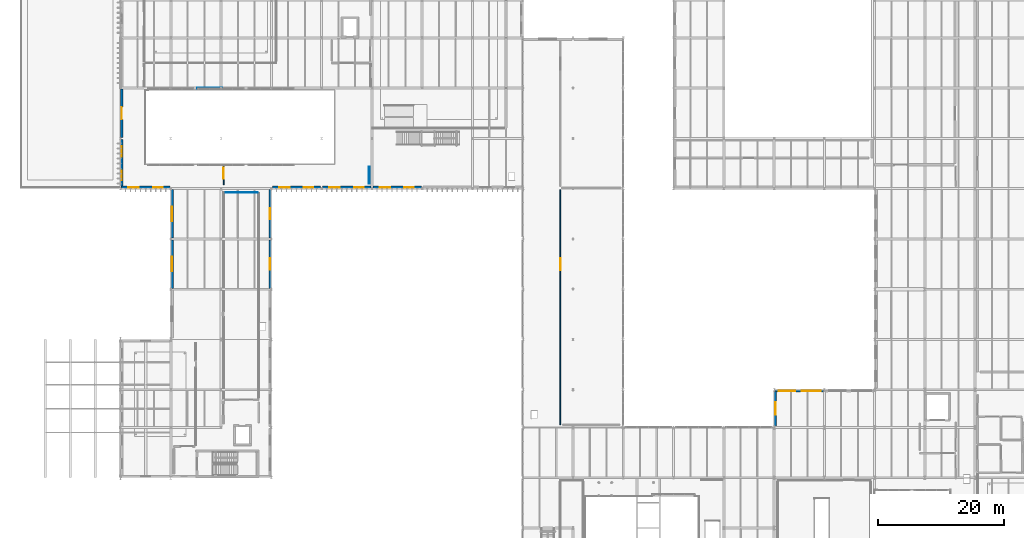
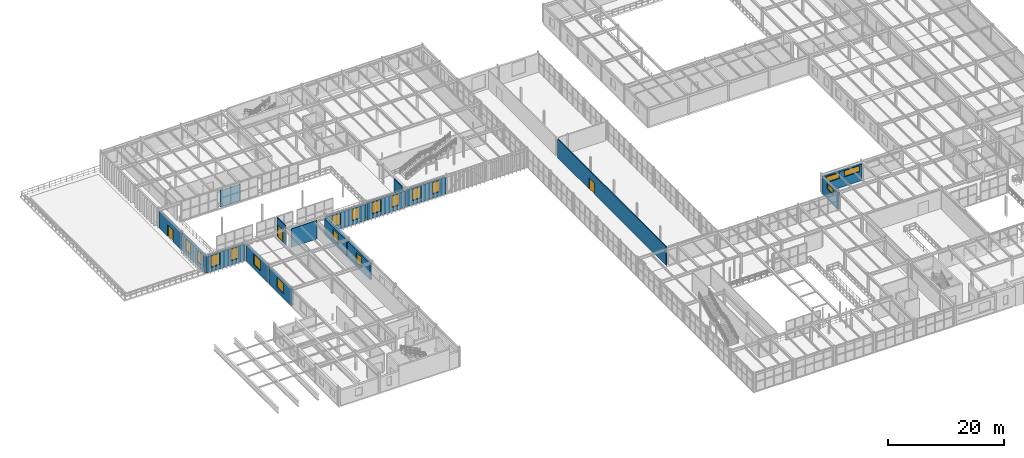
# One storey, part 85 of 122: 17 walls, 17 windows, 3 doors, 20 openings.
"""IFC4 building model written with IfcOpenShell, lengths in metres."""

import ifcopenshell
import ifcopenshell.guid

model = None  # the IFC model being written
_history = None  # IfcOwnerHistory: only IFC2X3 demands one
_inside = {}  # id of a spatial element -> (the spatial element, [elements in it])
_under = {}  # id of a project, library or spatial element -> (it, [spatial elements below it])
_declared = {}  # id of a project -> (the project, [libraries it declares])
_typed = {}  # id of a type object -> (the type object, [elements of that type])
_made_of = {}  # id of a material, layer set ... -> (it, [elements and type objects made of it])


def new_model(schema):
    """Start an empty IFC model of exactly this schema.

    Asked for "IFC4X3", IfcOpenShell would pick the latest addendum, in which some entities
    have other attributes; the version numbers below select the first issue.
    IFC2X3 requires an IfcOwnerHistory on every rooted entity: one is made here for all.
    """
    global model, _history
    if schema == "IFC4X3":
        model = ifcopenshell.file(schema_version=(4, 3, 0, 0))
    else:
        model = ifcopenshell.file(schema=schema)
    _inside.clear()
    _under.clear()
    _declared.clear()
    _typed.clear()
    _made_of.clear()
    _history = None
    if model.schema == "IFC2X3":
        org = make("IfcOrganization", Name="unknown")
        user = make(
            "IfcPersonAndOrganization",
            ThePerson=make("IfcPerson", FamilyName="unknown"),
            TheOrganization=org,
        )
        app = make(
            "IfcApplication",
            ApplicationDeveloper=org,
            Version="unknown",
            ApplicationFullName="unknown",
            ApplicationIdentifier="unknown",
        )
        _history = make(
            "IfcOwnerHistory",
            OwningUser=user,
            OwningApplication=app,
            ChangeAction="ADDED",
            CreationDate=0,
        )
    return model


def make(cls, **values):
    """One entity of the class cls with the attributes given. An attribute that is None is left unset."""
    return model.create_entity(
        cls, **{name: value for name, value in values.items() if value is not None}
    )


def rooted(cls, **values):
    """An entity with a GlobalId (a new one), such as an element, a storey or a relation."""
    return make(cls, GlobalId=ifcopenshell.guid.new(), OwnerHistory=_history, **values)


def si_unit(unit_type, name, prefix=None):
    """IfcSIUnit, for example si_unit("LENGTHUNIT", "METRE", prefix="MILLI")."""
    return make("IfcSIUnit", UnitType=unit_type, Prefix=prefix, Name=name)


def assignment(units):
    """IfcUnitAssignment: the units of a project."""
    return None if units is None else make("IfcUnitAssignment", Units=units)


def point(xyz):
    """IfcCartesianPoint."""
    return None if xyz is None else make("IfcCartesianPoint", Coordinates=xyz)


def direction(xyz):
    """IfcDirection."""
    return None if xyz is None else make("IfcDirection", DirectionRatios=xyz)


def frame(location, z_axis=None, x_axis=None):
    """IfcAxis2Placement3D, a coordinate frame: its origin and axes. An axis left out is left unset."""
    return make(
        "IfcAxis2Placement3D",
        Location=point(location),
        Axis=direction(z_axis),
        RefDirection=direction(x_axis),
    )


def frame_2d(location, x_axis=None):
    """IfcAxis2Placement2D, a coordinate frame in the plane: its origin and x axis."""
    return make(
        "IfcAxis2Placement2D", Location=point(location), RefDirection=direction(x_axis)
    )


def origin():
    """The frame at (0, 0, 0) with its axes left unset."""
    return frame((0.0, 0.0, 0.0))


def place(relative_to, where):
    """IfcLocalPlacement: puts the frame where relative to a parent placement (None: the world)."""
    return make(
        "IfcLocalPlacement", PlacementRelTo=relative_to, RelativePlacement=where
    )


def context(
    kind, dimensions, precision=None, world=None, true_north=None, identifier=None
):
    """IfcGeometricRepresentationContext, for example the 3D "Model" context."""
    return make(
        "IfcGeometricRepresentationContext",
        ContextIdentifier=identifier,
        ContextType=kind,
        CoordinateSpaceDimension=dimensions,
        Precision=precision,
        WorldCoordinateSystem=world,
        TrueNorth=true_north,
    )


def subcontext(parent, identifier, kind, view, scale=None):
    """IfcGeometricRepresentationSubContext, for example "Body" below "Model"."""
    return make(
        "IfcGeometricRepresentationSubContext",
        ContextIdentifier=identifier,
        ContextType=kind,
        ParentContext=parent,
        TargetScale=scale,
        TargetView=view,
    )


def project(units=None, contexts=None):
    """IfcProject with its units and contexts."""
    return rooted(
        "IfcProject",
        Name="project",
        RepresentationContexts=contexts,
        UnitsInContext=assignment(units),
    )


def spatial(cls, under=None, at=None, **own):
    """A site, building, storey or space (cls), placed at a placement, below another one or the project."""
    s = rooted(cls, ObjectPlacement=at, **own)
    if under is not None:
        _under.setdefault(under.id(), (under, []))[1].append(s)
    return s


def profile(cls, at=None, kind="AREA", **sizes):
    """A parametric profile (cls). Its sizes go by their IFC names, for example OverallWidth=200.0."""
    return make(cls, ProfileType=kind, Position=at, **sizes)


def rectangle(**sizes):
    """IfcRectangleProfileDef."""
    return profile("IfcRectangleProfileDef", **sizes)


def extrude(swept, where, along, depth):
    """IfcExtrudedAreaSolid: the profile swept, set in the frame where, extruded along a direction by depth."""
    return make(
        "IfcExtrudedAreaSolid",
        SweptArea=swept,
        Position=where,
        ExtrudedDirection=direction(along),
        Depth=depth,
    )


def shape(context_of_items, identifier, shape_type, items):
    """IfcShapeRepresentation: the items that make up one representation, for example the "Body"."""
    return make(
        "IfcShapeRepresentation",
        ContextOfItems=context_of_items,
        RepresentationIdentifier=identifier,
        RepresentationType=shape_type,
        Items=items,
    )


def material(Name=None, Category=None):
    """IfcMaterial."""
    return make("IfcMaterial", Name=Name, Category=Category)


def layer(
    of_material, thickness, ventilated=None, Name=None, Category=None, Priority=None
):
    """IfcMaterialLayer: one layer of a wall or slab, of a material (None: an air gap)."""
    return make(
        "IfcMaterialLayer",
        Material=of_material,
        LayerThickness=thickness,
        IsVentilated=ventilated,
        Name=Name,
        Category=Category,
        Priority=Priority,
    )


def layer_set(layers, Name=None):
    """IfcMaterialLayerSet."""
    return make("IfcMaterialLayerSet", MaterialLayers=layers, LayerSetName=Name)


def made_of(thing, what):
    """Note that an element or type object is made of a material, layer set ...; save() writes the relation."""
    if what is not None:
        _made_of.setdefault(what.id(), (what, []))[1].append(thing)
    return thing


def type_object(cls, material=None, **own):
    """A type object (cls), such as IfcWallType, which elements share."""
    return made_of(rooted(cls, **own), material)


def element(
    cls,
    number,
    at=None,
    inside=None,
    cuts=None,
    type_object=None,
    material=None,
    context=None,
    identifier="Body",
    shape_type=None,
    held_by="IfcProductDefinitionShape",
    body=None,
    shapes=None,
    **own,
):
    """One element of the class cls, such as IfcWall. Its Tag is "e" and its number.

    at: its placement. inside: the storey or other place that contains it. cuts: it is an
    opening in that element (IfcRelVoidsElement). A single representation is given by context,
    identifier, shape_type and body (its items); several are given by shapes. held_by: the class
    of the entity that holds the representations. save() writes the other relations.
    """
    e = rooted(cls, Tag="e%d" % number, ObjectPlacement=at, **own)
    if body is not None:
        shapes = [shape(context, identifier, shape_type, body)]
    if shapes is not None:
        e.Representation = make(held_by, Representations=shapes)
    if inside is not None:
        _inside.setdefault(inside.id(), (inside, []))[1].append(e)
    if cuts is not None:
        rooted(
            "IfcRelVoidsElement", RelatingBuildingElement=cuts, RelatedOpeningElement=e
        )
    if type_object is not None:
        _typed.setdefault(type_object.id(), (type_object, []))[1].append(e)
    return made_of(e, material)


def fill(opening, filler):
    """IfcRelFillsElement: the door or window that sits in an opening."""
    return rooted(
        "IfcRelFillsElement",
        RelatingOpeningElement=opening,
        RelatedBuildingElement=filler,
    )


def aggregate(whole, parts):
    """IfcRelAggregates: a whole, such as a stair, and the parts it consists of."""
    return rooted("IfcRelAggregates", RelatingObject=whole, RelatedObjects=parts)


def save(model, path):
    """Write the relations noted so far, then the file.

    IfcRelAggregates (storeys below a building ...), IfcRelContainedInSpatialStructure (elements
    in a storey), IfcRelDefinesByType, IfcRelAssociatesMaterial and IfcRelDeclares: one each for
    every whole, place, type object, material and project.
    """
    for whole, parts in _under.values():
        aggregate(whole, parts)
    for where, things in _inside.values():
        rooted(
            "IfcRelContainedInSpatialStructure",
            RelatedElements=things,
            RelatingStructure=where,
        )
    for kind, things in _typed.values():
        rooted("IfcRelDefinesByType", RelatedObjects=things, RelatingType=kind)
    for what, things in _made_of.values():
        rooted("IfcRelAssociatesMaterial", RelatedObjects=things, RelatingMaterial=what)
    for by, libraries in _declared.values():
        rooted("IfcRelDeclares", RelatingContext=by, RelatedDefinitions=libraries)
    model.write(path)


model = new_model("IFC4")

# Units and contexts
model_context = context("Model", 3, precision=1e-05, world=origin(), true_north=direction((0.0, 1.0)))
body_context = subcontext(model_context, "Body", "Model", "MODEL_VIEW")
ifc_project = project(units=[si_unit("LENGTHUNIT", "METRE"), si_unit("AREAUNIT", "SQUARE_METRE"), si_unit("VOLUMEUNIT", "CUBIC_METRE"), si_unit("PLANEANGLEUNIT", "RADIAN"), si_unit("MASSUNIT", "GRAM", prefix="KILO")], contexts=[model_context])

# Site, building, storey
site_placement = place(None, origin())
site = spatial("IfcSite", under=ifc_project, at=site_placement, CompositionType="ELEMENT")
building_placement = place(site_placement, origin())
building = spatial("IfcBuilding", under=site, at=building_placement, Name="Sundkrona Museum", CompositionType="ELEMENT")
storey_placement = place(building_placement, frame((0.0, 0.0, 5.39990234375)))
storey = spatial("IfcBuildingStorey", under=building, at=storey_placement, Name="L01", CompositionType="ELEMENT", Elevation=5.39990234375)

# Wall, opening, window
ifc_material_1 = material(Name="Scanian Polychrome Clay Brickwork 390 mm", Category="masonry")
ifc_layer_1 = layer(ifc_material_1, 0.389892578125)
ifc_layer_set_1 = layer_set([ifc_layer_1], Name="Scanian Polychrome Clay Brickwork 390 mm")
wall_type_1 = type_object("IfcWallType", Name="W-EX-390", PredefinedType="SOLIDWALL", material=ifc_layer_set_1)
wall_1_placement = place(storey_placement, frame((120.195068359375, 40.251953125, 0.0), z_axis=(0.0, 0.0, 1.0), x_axis=(0.0, 1.0, 0.0)))
wall_1 = element("IfcWall", 1, at=wall_1_placement, inside=storey, type_object=wall_type_1, Name="L01 Facade Wall 0024", PredefinedType="SOLIDWALL", context=body_context, shape_type="SweptSolid", body=[
    extrude(rectangle(XDim=5.49609375, YDim=0.389892578125, at=frame_2d((2.748046875, 0.0))), origin(), (0.0, 0.0, 1.0), 3.4150390625),
])
opening_1_placement = place(wall_1_placement, frame((1.748046875, 0.0, 2.0)))
opening_1 = element("IfcOpeningElement", 2, at=opening_1_placement, cuts=wall_1, Name="Opening WN-CL-200x110", PredefinedType="OPENING", context=body_context, shape_type="SweptSolid", body=[
    extrude(rectangle(XDim=2.0, YDim=1.10009765625, at=frame_2d((1.0, 0.550048828125))), frame((0.0, 0.204833984375, 0.0), z_axis=(0.0, -1.0, 0.0), x_axis=(1.0, 0.0, 0.0)), (0.0, 0.0, 1.0), 0.409912109375),
])
ifc_material_2 = material(Name="Triple Low-E Argon Glazing in Bronze-Anodised Aluminium", Category="aluminium")
window_type_1 = type_object("IfcWindowType", Name="WN-CL-200x110", PartitioningType="DOUBLE_PANEL_HORIZONTAL", PredefinedType="WINDOW", material=ifc_material_2)
window_1_placement = place(opening_1_placement, origin())
window_1 = element("IfcWindow", 3, at=window_1_placement, inside=storey, type_object=window_type_1, Name="L01 Archive foyer clerestory window 2000x1100 WIN-L01-0030", OverallHeight=1.10009765625, OverallWidth=2.0, PartitioningType="DOUBLE_PANEL_HORIZONTAL", PredefinedType="WINDOW", context=body_context, shape_type="SweptSolid", body=[
    extrude(rectangle(XDim=2.0, YDim=1.10009765625, at=frame_2d((1.0, 0.550048828125))), frame((0.0, 0.030029296875, 0.0), z_axis=(0.0, -1.0, 0.0), x_axis=(1.0, 0.0, 0.0)), (0.0, 0.0, 1.0), 0.06005859375),
])
fill(opening_1, window_1)

# Wall, openings, windows
wall_2_placement = place(storey_placement, frame((23.85791015625, 78.195068359375, 0.0), z_axis=(0.0, 0.0, 1.0), x_axis=(-1.0, 0.0, 0.0)))
wall_2 = element("IfcWall", 4, at=wall_2_placement, inside=storey, type_object=wall_type_1, Name="L01 Facade Wall 0116", PredefinedType="SOLIDWALL", context=body_context, shape_type="SweptSolid", body=[
    extrude(rectangle(XDim=7.7158203125, YDim=0.389892578125, at=frame_2d((3.85791015625, 0.0))), origin(), (0.0, 0.0, 1.0), 3.39501953125),
])
opening_2_placement = place(wall_2_placement, frame((1.178955078125, 0.0, 0.85009765625)))
opening_2 = element("IfcOpeningElement", 5, at=opening_2_placement, cuts=wall_2, Name="Opening WN-GL-150x240", PredefinedType="OPENING", context=body_context, shape_type="SweptSolid", body=[
    extrude(rectangle(XDim=1.5, YDim=2.39990234375, at=frame_2d((0.75, 1.199951171875))), frame((0.0, 0.204833984375, 0.0), z_axis=(0.0, -1.0, 0.0), x_axis=(1.0, 0.0, 0.0)), (0.0, 0.0, 1.0), 0.409912109375),
])
opening_3_placement = place(wall_2_placement, frame((4.93701171875, 0.0, 0.85009765625)))
opening_3 = element("IfcOpeningElement", 6, at=opening_3_placement, cuts=wall_2, Name="Opening WN-GL-170x240", PredefinedType="OPENING", context=body_context, shape_type="SweptSolid", body=[
    extrude(rectangle(XDim=1.699951171875, YDim=2.39990234375, at=frame_2d((0.85009765625, 1.199951171875))), frame((0.0, 0.204833984375, 0.0), z_axis=(0.0, -1.0, 0.0), x_axis=(1.0, 0.0, 0.0)), (0.0, 0.0, 1.0), 0.409912109375),
])
window_type_2 = type_object("IfcWindowType", Name="WN-GL-150x240", PartitioningType="SINGLE_PANEL", PredefinedType="WINDOW", material=ifc_material_2)
window_2_placement = place(opening_2_placement, origin())
window_2 = element("IfcWindow", 7, at=window_2_placement, inside=storey, type_object=window_type_2, Name="L01 Finned wing deep-reveal gallery window 1500x2400 WIN-L01-0158", OverallHeight=2.39990234375, OverallWidth=1.5, PartitioningType="SINGLE_PANEL", PredefinedType="WINDOW", context=body_context, shape_type="SweptSolid", body=[
    extrude(rectangle(XDim=1.5, YDim=2.39990234375, at=frame_2d((0.75, 1.199951171875))), frame((0.0, 0.030029296875, 0.0), z_axis=(0.0, -1.0, 0.0), x_axis=(1.0, 0.0, 0.0)), (0.0, 0.0, 1.0), 0.06005859375),
])
fill(opening_2, window_2)
window_type_3 = type_object("IfcWindowType", Name="WN-GL-170x240", PartitioningType="DOUBLE_PANEL_VERTICAL", PredefinedType="WINDOW", material=ifc_material_2)
window_3_placement = place(opening_3_placement, origin())
window_3 = element("IfcWindow", 8, at=window_3_placement, inside=storey, type_object=window_type_3, Name="L01 Finned wing wide gallery window 1700x2400 WIN-L01-0159", OverallHeight=2.39990234375, OverallWidth=1.699951171875, PartitioningType="DOUBLE_PANEL_VERTICAL", PredefinedType="WINDOW", context=body_context, shape_type="SweptSolid", body=[
    extrude(rectangle(XDim=1.699951171875, YDim=2.39990234375, at=frame_2d((0.85009765625, 1.199951171875))), frame((0.0, 0.030029296875, 0.0), z_axis=(0.0, -1.0, 0.0), x_axis=(1.0, 0.0, 0.0)), (0.0, 0.0, 1.0), 0.06005859375),
])
fill(opening_3, window_3)

wall_3_placement = place(storey_placement, frame((47.85791015625, 78.195068359375, 0.0), z_axis=(0.0, 0.0, 1.0), x_axis=(-1.0, 0.0, 0.0)))
wall_3 = element("IfcWall", 9, at=wall_3_placement, inside=storey, type_object=wall_type_1, Name="L01 Facade Wall 0117", PredefinedType="SOLIDWALL", context=body_context, shape_type="SweptSolid", body=[
    extrude(rectangle(XDim=7.7158203125, YDim=0.389892578125, at=frame_2d((3.85791015625, 0.0))), origin(), (0.0, 0.0, 1.0), 3.39501953125),
])
opening_4_placement = place(wall_3_placement, frame((1.178955078125, 0.0, 0.85009765625)))
opening_4 = element("IfcOpeningElement", 10, at=opening_4_placement, cuts=wall_3, Name="Opening WN-GL-150x240", PredefinedType="OPENING", context=body_context, shape_type="SweptSolid", body=[
    extrude(rectangle(XDim=1.5, YDim=2.39990234375, at=frame_2d((0.75, 1.199951171875))), frame((0.0, 0.204833984375, 0.0), z_axis=(0.0, -1.0, 0.0), x_axis=(1.0, 0.0, 0.0)), (0.0, 0.0, 1.0), 0.409912109375),
])
opening_5_placement = place(wall_3_placement, frame((4.93701171875, 0.0, 0.85009765625)))
opening_5 = element("IfcOpeningElement", 11, at=opening_5_placement, cuts=wall_3, Name="Opening WN-GL-170x240", PredefinedType="OPENING", context=body_context, shape_type="SweptSolid", body=[
    extrude(rectangle(XDim=1.699951171875, YDim=2.39990234375, at=frame_2d((0.85009765625, 1.199951171875))), frame((0.0, 0.204833984375, 0.0), z_axis=(0.0, -1.0, 0.0), x_axis=(1.0, 0.0, 0.0)), (0.0, 0.0, 1.0), 0.409912109375),
])
window_4_placement = place(opening_4_placement, origin())
window_4 = element("IfcWindow", 12, at=window_4_placement, inside=storey, type_object=window_type_2, Name="L01 Finned wing deep-reveal gallery window 1500x2400 WIN-L01-0160", OverallHeight=2.39990234375, OverallWidth=1.5, PartitioningType="SINGLE_PANEL", PredefinedType="WINDOW", context=body_context, shape_type="SweptSolid", body=[
    extrude(rectangle(XDim=1.5, YDim=2.39990234375, at=frame_2d((0.75, 1.199951171875))), frame((0.0, 0.030029296875, 0.0), z_axis=(0.0, -1.0, 0.0), x_axis=(1.0, 0.0, 0.0)), (0.0, 0.0, 1.0), 0.06005859375),
])
fill(opening_4, window_4)
window_5_placement = place(opening_5_placement, origin())
window_5 = element("IfcWindow", 13, at=window_5_placement, inside=storey, type_object=window_type_3, Name="L01 Finned wing wide gallery window 1700x2400 WIN-L01-0161", OverallHeight=2.39990234375, OverallWidth=1.699951171875, PartitioningType="DOUBLE_PANEL_VERTICAL", PredefinedType="WINDOW", context=body_context, shape_type="SweptSolid", body=[
    extrude(rectangle(XDim=1.699951171875, YDim=2.39990234375, at=frame_2d((0.85009765625, 1.199951171875))), frame((0.0, 0.030029296875, 0.0), z_axis=(0.0, -1.0, 0.0), x_axis=(1.0, 0.0, 0.0)), (0.0, 0.0, 1.0), 0.06005859375),
])
fill(opening_5, window_5)

wall_4_placement = place(storey_placement, frame((55.85791015625, 78.195068359375, 0.0), z_axis=(0.0, 0.0, 1.0), x_axis=(-1.0, 0.0, 0.0)))
wall_4 = element("IfcWall", 14, at=wall_4_placement, inside=storey, type_object=wall_type_1, Name="L01 Facade Wall 0118", PredefinedType="SOLIDWALL", context=body_context, shape_type="SweptSolid", body=[
    extrude(rectangle(XDim=7.7158203125, YDim=0.389892578125, at=frame_2d((3.85791015625, 0.0))), origin(), (0.0, 0.0, 1.0), 3.455078125),
])
opening_6_placement = place(wall_4_placement, frame((1.178955078125, 0.0, 0.85009765625)))
opening_6 = element("IfcOpeningElement", 15, at=opening_6_placement, cuts=wall_4, Name="Opening WN-GL-150x240", PredefinedType="OPENING", context=body_context, shape_type="SweptSolid", body=[
    extrude(rectangle(XDim=1.5, YDim=2.39990234375, at=frame_2d((0.75, 1.199951171875))), frame((0.0, 0.204833984375, 0.0), z_axis=(0.0, -1.0, 0.0), x_axis=(1.0, 0.0, 0.0)), (0.0, 0.0, 1.0), 0.409912109375),
])
opening_7_placement = place(wall_4_placement, frame((4.93701171875, 0.0, 0.85009765625)))
opening_7 = element("IfcOpeningElement", 16, at=opening_7_placement, cuts=wall_4, Name="Opening WN-GL-170x240", PredefinedType="OPENING", context=body_context, shape_type="SweptSolid", body=[
    extrude(rectangle(XDim=1.699951171875, YDim=2.39990234375, at=frame_2d((0.85009765625, 1.199951171875))), frame((0.0, 0.204833984375, 0.0), z_axis=(0.0, -1.0, 0.0), x_axis=(1.0, 0.0, 0.0)), (0.0, 0.0, 1.0), 0.409912109375),
])
window_6_placement = place(opening_6_placement, origin())
window_6 = element("IfcWindow", 17, at=window_6_placement, inside=storey, type_object=window_type_2, Name="L01 Finned wing deep-reveal gallery window 1500x2400 WIN-L01-0162", OverallHeight=2.39990234375, OverallWidth=1.5, PartitioningType="SINGLE_PANEL", PredefinedType="WINDOW", context=body_context, shape_type="SweptSolid", body=[
    extrude(rectangle(XDim=1.5, YDim=2.39990234375, at=frame_2d((0.75, 1.199951171875))), frame((0.0, 0.030029296875, 0.0), z_axis=(0.0, -1.0, 0.0), x_axis=(1.0, 0.0, 0.0)), (0.0, 0.0, 1.0), 0.06005859375),
])
fill(opening_6, window_6)
window_7_placement = place(opening_7_placement, origin())
window_7 = element("IfcWindow", 18, at=window_7_placement, inside=storey, type_object=window_type_3, Name="L01 Finned wing wide gallery window 1700x2400 WIN-L01-0163", OverallHeight=2.39990234375, OverallWidth=1.699951171875, PartitioningType="DOUBLE_PANEL_VERTICAL", PredefinedType="WINDOW", context=body_context, shape_type="SweptSolid", body=[
    extrude(rectangle(XDim=1.699951171875, YDim=2.39990234375, at=frame_2d((0.85009765625, 1.199951171875))), frame((0.0, 0.030029296875, 0.0), z_axis=(0.0, -1.0, 0.0), x_axis=(1.0, 0.0, 0.0)), (0.0, 0.0, 1.0), 0.06005859375),
])
fill(opening_7, window_7)

wall_5_placement = place(storey_placement, frame((63.85791015625, 78.195068359375, 0.0), z_axis=(0.0, 0.0, 1.0), x_axis=(-1.0, 0.0, 0.0)))
wall_5 = element("IfcWall", 19, at=wall_5_placement, inside=storey, type_object=wall_type_1, Name="L01 Facade Wall 0119", PredefinedType="SOLIDWALL", context=body_context, shape_type="SweptSolid", body=[
    extrude(rectangle(XDim=7.7158203125, YDim=0.389892578125, at=frame_2d((3.85791015625, 0.0))), origin(), (0.0, 0.0, 1.0), 3.455078125),
])
opening_8_placement = place(wall_5_placement, frame((1.178955078125, 0.0, 0.85009765625)))
opening_8 = element("IfcOpeningElement", 20, at=opening_8_placement, cuts=wall_5, Name="Opening WN-GL-150x240", PredefinedType="OPENING", context=body_context, shape_type="SweptSolid", body=[
    extrude(rectangle(XDim=1.5, YDim=2.39990234375, at=frame_2d((0.75, 1.199951171875))), frame((0.0, 0.204833984375, 0.0), z_axis=(0.0, -1.0, 0.0), x_axis=(1.0, 0.0, 0.0)), (0.0, 0.0, 1.0), 0.409912109375),
])
opening_9_placement = place(wall_5_placement, frame((4.93701171875, 0.0, 0.85009765625)))
opening_9 = element("IfcOpeningElement", 21, at=opening_9_placement, cuts=wall_5, Name="Opening WN-GL-170x240", PredefinedType="OPENING", context=body_context, shape_type="SweptSolid", body=[
    extrude(rectangle(XDim=1.699951171875, YDim=2.39990234375, at=frame_2d((0.85009765625, 1.199951171875))), frame((0.0, 0.204833984375, 0.0), z_axis=(0.0, -1.0, 0.0), x_axis=(1.0, 0.0, 0.0)), (0.0, 0.0, 1.0), 0.409912109375),
])
window_8_placement = place(opening_8_placement, origin())
window_8 = element("IfcWindow", 22, at=window_8_placement, inside=storey, type_object=window_type_2, Name="L01 Finned wing deep-reveal gallery window 1500x2400 WIN-L01-0164", OverallHeight=2.39990234375, OverallWidth=1.5, PartitioningType="SINGLE_PANEL", PredefinedType="WINDOW", context=body_context, shape_type="SweptSolid", body=[
    extrude(rectangle(XDim=1.5, YDim=2.39990234375, at=frame_2d((0.75, 1.199951171875))), frame((0.0, 0.030029296875, 0.0), z_axis=(0.0, -1.0, 0.0), x_axis=(1.0, 0.0, 0.0)), (0.0, 0.0, 1.0), 0.06005859375),
])
fill(opening_8, window_8)
window_9_placement = place(opening_9_placement, origin())
window_9 = element("IfcWindow", 23, at=window_9_placement, inside=storey, type_object=window_type_3, Name="L01 Finned wing wide gallery window 1700x2400 WIN-L01-0165", OverallHeight=2.39990234375, OverallWidth=1.699951171875, PartitioningType="DOUBLE_PANEL_VERTICAL", PredefinedType="WINDOW", context=body_context, shape_type="SweptSolid", body=[
    extrude(rectangle(XDim=1.699951171875, YDim=2.39990234375, at=frame_2d((0.85009765625, 1.199951171875))), frame((0.0, 0.030029296875, 0.0), z_axis=(0.0, -1.0, 0.0), x_axis=(1.0, 0.0, 0.0)), (0.0, 0.0, 1.0), 0.06005859375),
])
fill(opening_9, window_9)

wall_6_placement = place(storey_placement, frame((16.195068359375, 78.14208984375, 0.0), z_axis=(0.0, 0.0, 1.0), x_axis=(0.0, 1.0, 0.0)))
wall_6 = element("IfcWall", 24, at=wall_6_placement, inside=storey, type_object=wall_type_1, Name="L01 Facade Wall 0122", PredefinedType="SOLIDWALL", context=body_context, shape_type="SweptSolid", body=[
    extrude(rectangle(XDim=7.7158203125, YDim=0.389892578125, at=frame_2d((3.85791015625, 0.0))), origin(), (0.0, 0.0, 1.0), 3.455078125),
])
opening_10_placement = place(wall_6_placement, frame((1.178955078125, 0.0, 0.85009765625)))
opening_10 = element("IfcOpeningElement", 25, at=opening_10_placement, cuts=wall_6, Name="Opening WN-GL-150x240", PredefinedType="OPENING", context=body_context, shape_type="SweptSolid", body=[
    extrude(rectangle(XDim=1.5, YDim=2.39990234375, at=frame_2d((0.75, 1.199951171875))), frame((0.0, 0.204833984375, 0.0), z_axis=(0.0, -1.0, 0.0), x_axis=(1.0, 0.0, 0.0)), (0.0, 0.0, 1.0), 0.409912109375),
])
opening_11_placement = place(wall_6_placement, frame((4.93701171875, 0.0, 0.85009765625)))
opening_11 = element("IfcOpeningElement", 26, at=opening_11_placement, cuts=wall_6, Name="Opening WN-GL-170x240", PredefinedType="OPENING", context=body_context, shape_type="SweptSolid", body=[
    extrude(rectangle(XDim=1.699951171875, YDim=2.39990234375, at=frame_2d((0.85009765625, 1.199951171875))), frame((0.0, 0.204833984375, 0.0), z_axis=(0.0, -1.0, 0.0), x_axis=(1.0, 0.0, 0.0)), (0.0, 0.0, 1.0), 0.409912109375),
])
window_10_placement = place(opening_10_placement, origin())
window_10 = element("IfcWindow", 27, at=window_10_placement, inside=storey, type_object=window_type_2, Name="L01 Finned wing deep-reveal gallery window 1500x2400 WIN-L01-0168", OverallHeight=2.39990234375, OverallWidth=1.5, PartitioningType="SINGLE_PANEL", PredefinedType="WINDOW", context=body_context, shape_type="SweptSolid", body=[
    extrude(rectangle(XDim=1.5, YDim=2.39990234375, at=frame_2d((0.75, 1.199951171875))), frame((0.0, 0.030029296875, 0.0), z_axis=(0.0, -1.0, 0.0), x_axis=(1.0, 0.0, 0.0)), (0.0, 0.0, 1.0), 0.06005859375),
])
fill(opening_10, window_10)
window_11_placement = place(opening_11_placement, origin())
window_11 = element("IfcWindow", 28, at=window_11_placement, inside=storey, type_object=window_type_3, Name="L01 Finned wing wide gallery window 1700x2400 WIN-L01-0169", OverallHeight=2.39990234375, OverallWidth=1.699951171875, PartitioningType="DOUBLE_PANEL_VERTICAL", PredefinedType="WINDOW", context=body_context, shape_type="SweptSolid", body=[
    extrude(rectangle(XDim=1.699951171875, YDim=2.39990234375, at=frame_2d((0.85009765625, 1.199951171875))), frame((0.0, 0.030029296875, 0.0), z_axis=(0.0, -1.0, 0.0), x_axis=(1.0, 0.0, 0.0)), (0.0, 0.0, 1.0), 0.06005859375),
])
fill(opening_11, window_11)

# Wall, opening, door
wall_7_placement = place(storey_placement, frame((16.195068359375, 86.14208984375, 0.0), z_axis=(0.0, 0.0, 1.0), x_axis=(0.0, 1.0, 0.0)))
wall_7 = element("IfcWall", 29, at=wall_7_placement, inside=storey, type_object=wall_type_1, Name="L01 Facade Wall 0123", PredefinedType="SOLIDWALL", context=body_context, shape_type="SweptSolid", body=[
    extrude(rectangle(XDim=7.7158203125, YDim=0.389892578125, at=frame_2d((3.85791015625, 0.0))), origin(), (0.0, 0.0, 1.0), 3.455078125),
])
opening_12_placement = place(wall_7_placement, frame((2.883056640625, 0.0, 0.0)))
opening_12 = element("IfcOpeningElement", 30, at=opening_12_placement, cuts=wall_7, Name="Opening D-TR-195", PredefinedType="OPENING", context=body_context, shape_type="SweptSolid", body=[
    extrude(rectangle(XDim=1.949951171875, YDim=2.35009765625, at=frame_2d((0.97509765625, 1.175048828125))), frame((0.0, 0.204833984375, 0.0), z_axis=(0.0, -1.0, 0.0), x_axis=(1.0, 0.0, 0.0)), (0.0, 0.0, 1.0), 0.409912109375),
])
ifc_material_3 = material(Name="Triple-Glazed Aluminium Terrace Door", Category="aluminium")
door_type_1 = type_object("IfcDoorType", Name="D-TR-195", OperationType="DOUBLE_DOOR_SINGLE_SWING", PredefinedType="DOOR", material=ifc_material_3)
door_1_placement = place(opening_12_placement, origin())
door_1 = element("IfcDoor", 31, at=door_1_placement, inside=storey, type_object=door_type_1, Name="L01 Exterior Door D-TR-195 DR-L01-TR0", OperationType="DOUBLE_DOOR_SINGLE_SWING", OverallHeight=2.35009765625, OverallWidth=1.949951171875, PredefinedType="DOOR", context=body_context, shape_type="SweptSolid", body=[
    extrude(rectangle(XDim=1.949951171875, YDim=2.35009765625, at=frame_2d((0.97509765625, 1.175048828125))), frame((0.0, 0.02490234375, 0.0), z_axis=(0.0, -1.0, 0.0), x_axis=(1.0, 0.0, 0.0)), (0.0, 0.0, 1.0), 0.050048828125),
])
fill(opening_12, door_1)

# Wall, opening, window
wall_8_placement = place(storey_placement, frame((24.195068359375, 62.14208984375, 0.0), z_axis=(0.0, 0.0, 1.0), x_axis=(0.0, 1.0, 0.0)))
wall_8 = element("IfcWall", 32, at=wall_8_placement, inside=storey, type_object=wall_type_1, Name="L01 Facade Wall 0221", PredefinedType="SOLIDWALL", context=body_context, shape_type="SweptSolid", body=[
    extrude(rectangle(XDim=7.7158203125, YDim=0.389892578125, at=frame_2d((3.85791015625, 0.0))), origin(), (0.0, 0.0, 1.0), 3.39501953125),
])
opening_13_placement = place(wall_8_placement, frame((2.7080078125, 0.0, 0.85009765625)))
opening_13 = element("IfcOpeningElement", 33, at=opening_13_placement, cuts=wall_8, Name="Opening WN-ED-230x220", PredefinedType="OPENING", context=body_context, shape_type="SweptSolid", body=[
    extrude(rectangle(XDim=2.300048828125, YDim=2.199951171875, at=frame_2d((1.14990234375, 1.10009765625))), frame((0.0, 0.204833984375, 0.0), z_axis=(0.0, -1.0, 0.0), x_axis=(1.0, 0.0, 0.0)), (0.0, 0.0, 1.0), 0.409912109375),
])
window_type_4 = type_object("IfcWindowType", Name="WN-ED-230x220", PartitioningType="DOUBLE_PANEL_VERTICAL", PredefinedType="WINDOW", material=ifc_material_2)
window_12_placement = place(opening_13_placement, origin())
window_12 = element("IfcWindow", 34, at=window_12_placement, inside=storey, type_object=window_type_4, Name="L01 Lecture foyer courtyard window 2300x2200 WIN-L01-0305", OverallHeight=2.199951171875, OverallWidth=2.300048828125, PartitioningType="DOUBLE_PANEL_VERTICAL", PredefinedType="WINDOW", context=body_context, shape_type="SweptSolid", body=[
    extrude(rectangle(XDim=2.300048828125, YDim=2.199951171875, at=frame_2d((1.14990234375, 1.10009765625))), frame((0.0, 0.030029296875, 0.0), z_axis=(0.0, -1.0, 0.0), x_axis=(1.0, 0.0, 0.0)), (0.0, 0.0, 1.0), 0.06005859375),
])
fill(opening_13, window_12)

wall_9_placement = place(storey_placement, frame((39.804931640625, 69.85791015625, 0.0), z_axis=(0.0, 0.0, 1.0), x_axis=(0.0, -1.0, 0.0)))
wall_9 = element("IfcWall", 35, at=wall_9_placement, inside=storey, type_object=wall_type_1, Name="L01 Facade Wall 0222", PredefinedType="SOLIDWALL", context=body_context, shape_type="SweptSolid", body=[
    extrude(rectangle(XDim=7.7158203125, YDim=0.389892578125, at=frame_2d((3.85791015625, 0.0))), origin(), (0.0, 0.0, 1.0), 3.39501953125),
])
opening_14_placement = place(wall_9_placement, frame((2.9580078125, 0.0, 0.85009765625)))
opening_14 = element("IfcOpeningElement", 36, at=opening_14_placement, cuts=wall_9, Name="Opening WN-ED-180x210", PredefinedType="OPENING", context=body_context, shape_type="SweptSolid", body=[
    extrude(rectangle(XDim=1.800048828125, YDim=2.10009765625, at=frame_2d((0.89990234375, 1.050048828125))), frame((0.0, 0.204833984375, 0.0), z_axis=(0.0, -1.0, 0.0), x_axis=(1.0, 0.0, 0.0)), (0.0, 0.0, 1.0), 0.409912109375),
])
window_type_5 = type_object("IfcWindowType", Name="WN-ED-180x210", PartitioningType="DOUBLE_PANEL_VERTICAL", PredefinedType="WINDOW", material=ifc_material_2)
window_13_placement = place(opening_14_placement, origin())
window_13 = element("IfcWindow", 37, at=window_13_placement, inside=storey, type_object=window_type_5, Name="L01 Education studio courtyard window 1800x2100 WIN-L01-0306", OverallHeight=2.10009765625, OverallWidth=1.800048828125, PartitioningType="DOUBLE_PANEL_VERTICAL", PredefinedType="WINDOW", context=body_context, shape_type="SweptSolid", body=[
    extrude(rectangle(XDim=1.800048828125, YDim=2.10009765625, at=frame_2d((0.89990234375, 1.050048828125))), frame((0.0, 0.030029296875, 0.0), z_axis=(0.0, -1.0, 0.0), x_axis=(1.0, 0.0, 0.0)), (0.0, 0.0, 1.0), 0.06005859375),
])
fill(opening_14, window_13)

wall_10_placement = place(storey_placement, frame((24.195068359375, 70.14208984375, 0.0), z_axis=(0.0, 0.0, 1.0), x_axis=(0.0, 1.0, 0.0)))
wall_10 = element("IfcWall", 38, at=wall_10_placement, inside=storey, type_object=wall_type_1, Name="L01 Facade Wall 0223", PredefinedType="SOLIDWALL", context=body_context, shape_type="SweptSolid", body=[
    extrude(rectangle(XDim=7.7158203125, YDim=0.389892578125, at=frame_2d((3.85791015625, 0.0))), origin(), (0.0, 0.0, 1.0), 3.39501953125),
])
opening_15_placement = place(wall_10_placement, frame((2.7080078125, 0.0, 0.85009765625)))
opening_15 = element("IfcOpeningElement", 39, at=opening_15_placement, cuts=wall_10, Name="Opening WN-ED-230x220", PredefinedType="OPENING", context=body_context, shape_type="SweptSolid", body=[
    extrude(rectangle(XDim=2.300048828125, YDim=2.199951171875, at=frame_2d((1.14990234375, 1.10009765625))), frame((0.0, 0.204833984375, 0.0), z_axis=(0.0, -1.0, 0.0), x_axis=(1.0, 0.0, 0.0)), (0.0, 0.0, 1.0), 0.409912109375),
])
window_14_placement = place(opening_15_placement, origin())
window_14 = element("IfcWindow", 40, at=window_14_placement, inside=storey, type_object=window_type_4, Name="L01 Lecture foyer courtyard window 2300x2200 WIN-L01-0307", OverallHeight=2.199951171875, OverallWidth=2.300048828125, PartitioningType="DOUBLE_PANEL_VERTICAL", PredefinedType="WINDOW", context=body_context, shape_type="SweptSolid", body=[
    extrude(rectangle(XDim=2.300048828125, YDim=2.199951171875, at=frame_2d((1.14990234375, 1.10009765625))), frame((0.0, 0.030029296875, 0.0), z_axis=(0.0, -1.0, 0.0), x_axis=(1.0, 0.0, 0.0)), (0.0, 0.0, 1.0), 0.06005859375),
])
fill(opening_15, window_14)

wall_11_placement = place(storey_placement, frame((39.804931640625, 77.85791015625, 0.0), z_axis=(0.0, 0.0, 1.0), x_axis=(0.0, -1.0, 0.0)))
wall_11 = element("IfcWall", 41, at=wall_11_placement, inside=storey, type_object=wall_type_1, Name="L01 Facade Wall 0224", PredefinedType="SOLIDWALL", context=body_context, shape_type="SweptSolid", body=[
    extrude(rectangle(XDim=7.7158203125, YDim=0.389892578125, at=frame_2d((3.85791015625, 0.0))), origin(), (0.0, 0.0, 1.0), 3.39501953125),
])
opening_16_placement = place(wall_11_placement, frame((2.9580078125, 0.0, 0.85009765625)))
opening_16 = element("IfcOpeningElement", 42, at=opening_16_placement, cuts=wall_11, Name="Opening WN-ED-180x210", PredefinedType="OPENING", context=body_context, shape_type="SweptSolid", body=[
    extrude(rectangle(XDim=1.800048828125, YDim=2.10009765625, at=frame_2d((0.89990234375, 1.050048828125))), frame((0.0, 0.204833984375, 0.0), z_axis=(0.0, -1.0, 0.0), x_axis=(1.0, 0.0, 0.0)), (0.0, 0.0, 1.0), 0.409912109375),
])
window_15_placement = place(opening_16_placement, origin())
window_15 = element("IfcWindow", 43, at=window_15_placement, inside=storey, type_object=window_type_5, Name="L01 Education studio courtyard window 1800x2100 WIN-L01-0308", OverallHeight=2.10009765625, OverallWidth=1.800048828125, PartitioningType="DOUBLE_PANEL_VERTICAL", PredefinedType="WINDOW", context=body_context, shape_type="SweptSolid", body=[
    extrude(rectangle(XDim=1.800048828125, YDim=2.10009765625, at=frame_2d((0.89990234375, 1.050048828125))), frame((0.0, 0.030029296875, 0.0), z_axis=(0.0, -1.0, 0.0), x_axis=(1.0, 0.0, 0.0)), (0.0, 0.0, 1.0), 0.06005859375),
])
fill(opening_16, window_15)

# Walls
ifc_material_4 = material(Name="Gypsum metal-stud Partition Board 125 mm", Category="other")
ifc_layer_2 = layer(ifc_material_4, 0.125)
ifc_layer_set_2 = layer_set([ifc_layer_2], Name="Gypsum metal-stud Partition Board 125 mm")
wall_type_2 = type_object("IfcWallType", Name="W-PT-125", PredefinedType="PARTITIONING", material=ifc_layer_set_2)
wall_12_placement = place(storey_placement, frame((32.75, 77.39990234375, 0.0), z_axis=(0.0, 0.0, 1.0), x_axis=(1.0, 0.0, 0.0)))
element("IfcWall", 44, at=wall_12_placement, inside=storey, type_object=wall_type_2, Name="L01 Curatorial Research Suite Enclosure Wall N", PredefinedType="PARTITIONING", context=body_context, shape_type="SweptSolid", body=[
    extrude(rectangle(XDim=5.10009765625, YDim=0.125, at=frame_2d((2.550048828125, 0.0))), origin(), (0.0, 0.0, 1.0), 3.900146484375),
])
ifc_material_5 = material(Name="Acoustic Gypsum Partition Board 150 mm", Category="other")
ifc_layer_3 = layer(ifc_material_5, 0.14990234375)
ifc_layer_set_3 = layer_set([ifc_layer_3], Name="Acoustic Gypsum Partition Board 150 mm")
wall_type_3 = type_object("IfcWallType", Name="W-PT-150", PredefinedType="PARTITIONING", material=ifc_layer_set_3)
wall_13_placement = place(storey_placement, frame((28.199951171875, 94.0, 0.0), z_axis=(0.0, 0.0, 1.0), x_axis=(1.0, 0.0, 0.0)))
element("IfcWall", 45, at=wall_13_placement, inside=storey, type_object=wall_type_3, Name="L01 Partition West Cloister Walk / North Studio Corridor", PredefinedType="PARTITIONING", context=body_context, shape_type="SweptSolid", body=[
    extrude(rectangle(XDim=4.0, YDim=0.14990234375, at=frame_2d((2.0, 0.0))), origin(), (0.0, 0.0, 1.0), 3.420166015625),
])

# Wall, opening, door
wall_14_placement = place(storey_placement, frame((32.39990234375, 78.60009765625, 0.0), z_axis=(0.0, 0.0, 1.0), x_axis=(0.0, 1.0, 0.0)))
wall_14 = element("IfcWall", 46, at=wall_14_placement, inside=storey, type_object=wall_type_3, Name="L01 Partition West Cloister Walk / Nordic Ceramics Studio Gallery", PredefinedType="PARTITIONING", context=body_context, shape_type="SweptSolid", body=[
    extrude(rectangle(XDim=3.0, YDim=0.14990234375, at=frame_2d((1.5, 0.0))), origin(), (0.0, 0.0, 1.0), 3.960205078125),
])
opening_17_placement = place(wall_14_placement, frame((1.0, 0.0, 0.0)))
opening_17 = element("IfcOpeningElement", 47, at=opening_17_placement, cuts=wall_14, Name="Opening D-GAL-170", PredefinedType="OPENING", context=body_context, shape_type="SweptSolid", body=[
    extrude(rectangle(XDim=1.699951171875, YDim=2.449951171875, at=frame_2d((0.85009765625, 1.22509765625))), frame((0.0, 0.0849609375, 0.0), z_axis=(0.0, -1.0, 0.0), x_axis=(1.0, 0.0, 0.0)), (0.0, 0.0, 1.0), 0.169921875),
])
ifc_material_6 = material(Name="European Oak Gallery Door", Category="other")
door_type_2 = type_object("IfcDoorType", Name="D-GAL-170", OperationType="DOUBLE_DOOR_SINGLE_SWING", PredefinedType="DOOR", material=ifc_material_6)
door_2_placement = place(opening_17_placement, origin())
door_2 = element("IfcDoor", 48, at=door_2_placement, inside=storey, type_object=door_type_2, Name="L01 Interior Door DR-ADJ-L01-0099", OperationType="DOUBLE_DOOR_SINGLE_SWING", OverallHeight=2.449951171875, OverallWidth=1.699951171875, PredefinedType="DOOR", context=body_context, shape_type="SweptSolid", body=[
    extrude(rectangle(XDim=1.699951171875, YDim=2.449951171875, at=frame_2d((0.85009765625, 1.22509765625))), frame((0.0, 0.02490234375, 0.0), z_axis=(0.0, -1.0, 0.0), x_axis=(1.0, 0.0, 0.0)), (0.0, 0.0, 1.0), 0.050048828125),
])
fill(opening_17, door_2)

# Wall
wall_15_placement = place(storey_placement, frame((55.60009765625, 78.75, 0.0), z_axis=(0.0, 0.0, 1.0), x_axis=(0.0, 1.0, 0.0)))
element("IfcWall", 49, at=wall_15_placement, inside=storey, type_object=wall_type_3, Name="L01 Nordic Ceramics Studio Gallery Enclosure Wall E", PredefinedType="PARTITIONING", context=body_context, shape_type="SweptSolid", body=[
    extrude(rectangle(XDim=2.699951171875, YDim=0.14990234375, at=frame_2d((1.35009765625, 0.0))), origin(), (0.0, 0.0, 1.0), 3.960205078125),
])

# Wall, opening, door
ifc_material_7 = material(Name="Fire-rated Gypsum Partition Board 175 mm", Category="other")
ifc_layer_4 = layer(ifc_material_7, 0.175048828125)
ifc_layer_set_4 = layer_set([ifc_layer_4], Name="Fire-rated Gypsum Partition Board 175 mm")
wall_type_4 = type_object("IfcWallType", Name="W-PT-175", PredefinedType="PARTITIONING", material=ifc_layer_set_4)
wall_16_placement = place(storey_placement, frame((86.0, 40.39990234375, 0.0), z_axis=(0.0, 0.0, 1.0), x_axis=(0.0, 1.0, 0.0)))
wall_16 = element("IfcWall", 50, at=wall_16_placement, inside=storey, type_object=wall_type_4, Name="L01 Partition Passage Bridge Corridor / Education Studio", PredefinedType="PARTITIONING", context=body_context, shape_type="SweptSolid", body=[
    extrude(rectangle(XDim=37.400146484375, YDim=0.175048828125, at=frame_2d((18.7001953125, 0.0))), origin(), (0.0, 0.0, 1.0), 3.920166015625),
])
opening_18_placement = place(wall_16_placement, frame((24.624267578125, 0.0, 0.0)))
opening_18 = element("IfcOpeningElement", 51, at=opening_18_placement, cuts=wall_16, Name="Opening D-AUD-190", PredefinedType="OPENING", context=body_context, shape_type="SweptSolid", body=[
    extrude(rectangle(XDim=1.89990234375, YDim=2.35009765625, at=frame_2d((0.949951171875, 1.175048828125))), frame((0.0, 0.097412109375, 0.0), z_axis=(0.0, -1.0, 0.0), x_axis=(1.0, 0.0, 0.0)), (0.0, 0.0, 1.0), 0.195068359375),
])
ifc_material_8 = material(Name="Acoustic Oak Fire Door", Category="other")
door_type_3 = type_object("IfcDoorType", Name="D-AUD-190", OperationType="DOUBLE_DOOR_SINGLE_SWING", PredefinedType="DOOR", material=ifc_material_8)
door_3_placement = place(opening_18_placement, origin())
door_3 = element("IfcDoor", 52, at=door_3_placement, inside=storey, type_object=door_type_3, Name="L01 Interior Door DR-ADJ-L01-0096", OperationType="DOUBLE_DOOR_SINGLE_SWING", OverallHeight=2.35009765625, OverallWidth=1.89990234375, PredefinedType="DOOR", context=body_context, shape_type="SweptSolid", body=[
    extrude(rectangle(XDim=1.89990234375, YDim=2.35009765625, at=frame_2d((0.949951171875, 1.175048828125))), frame((0.0, 0.02490234375, 0.0), z_axis=(0.0, -1.0, 0.0), x_axis=(1.0, 0.0, 0.0)), (0.0, 0.0, 1.0), 0.050048828125),
])
fill(opening_18, door_3)

# Wall, openings, windows
ifc_material_9 = material(Name="Vitrified Stoneware Mosaic Cladding 360 mm", Category="masonry")
ifc_layer_5 = layer(ifc_material_9, 0.360107421875)
ifc_layer_set_5 = layer_set([ifc_layer_5], Name="Vitrified Stoneware Mosaic Cladding 360 mm")
wall_type_5 = type_object("IfcWallType", Name="W-SP-360", PredefinedType="ELEMENTEDWALL", material=ifc_layer_set_5)
wall_17_placement = place(storey_placement, frame((120.152099609375, 45.820068359375, 0.0), z_axis=(0.0, 0.0, 1.0), x_axis=(1.0, 0.0, 0.0)))
wall_17 = element("IfcWall", 53, at=wall_17_placement, inside=storey, type_object=wall_type_5, Name="L01 Facade Wall 0022", PredefinedType="ELEMENTEDWALL", context=body_context, shape_type="SweptSolid", body=[
    extrude(rectangle(XDim=7.69580078125, YDim=0.360107421875, at=frame_2d((3.847900390625, 0.0))), origin(), (0.0, 0.0, 1.0), 3.4150390625),
])
opening_19_placement = place(wall_17_placement, frame((0.6240234375, 0.0, 2.0)))
opening_19 = element("IfcOpeningElement", 54, at=opening_19_placement, cuts=wall_17, Name="Opening WN-CL-260x120", PredefinedType="OPENING", context=body_context, shape_type="SweptSolid", body=[
    extrude(rectangle(XDim=2.60009765625, YDim=1.199951171875, at=frame_2d((1.300048828125, 0.60009765625))), frame((0.0, 0.18994140625, 0.0), z_axis=(0.0, -1.0, 0.0), x_axis=(1.0, 0.0, 0.0)), (0.0, 0.0, 1.0), 0.380126953125),
])
opening_20_placement = place(wall_17_placement, frame((4.27197265625, 0.0, 1.97509765625)))
opening_20 = element("IfcOpeningElement", 55, at=opening_20_placement, cuts=wall_17, Name="Opening WN-CL-300x130", PredefinedType="OPENING", context=body_context, shape_type="SweptSolid", body=[
    extrude(rectangle(XDim=3.0, YDim=1.300048828125, at=frame_2d((1.5, 0.64990234375))), frame((0.0, 0.18994140625, 0.0), z_axis=(0.0, -1.0, 0.0), x_axis=(1.0, 0.0, 0.0)), (0.0, 0.0, 1.0), 0.380126953125),
])
window_type_6 = type_object("IfcWindowType", Name="WN-CL-260x120", PartitioningType="DOUBLE_PANEL_HORIZONTAL", PredefinedType="WINDOW", material=ifc_material_2)
window_16_placement = place(opening_19_placement, origin())
window_16 = element("IfcWindow", 56, at=window_16_placement, inside=storey, type_object=window_type_6, Name="L01 High-level gallery clerestory ribbon window 2600x1200 WIN-L01-0026", OverallHeight=1.199951171875, OverallWidth=2.60009765625, PartitioningType="DOUBLE_PANEL_HORIZONTAL", PredefinedType="WINDOW", context=body_context, shape_type="SweptSolid", body=[
    extrude(rectangle(XDim=2.60009765625, YDim=1.199951171875, at=frame_2d((1.300048828125, 0.60009765625))), frame((0.0, 0.030029296875, 0.0), z_axis=(0.0, -1.0, 0.0), x_axis=(1.0, 0.0, 0.0)), (0.0, 0.0, 1.0), 0.06005859375),
])
fill(opening_19, window_16)
window_type_7 = type_object("IfcWindowType", Name="WN-CL-300x130", PartitioningType="TRIPLE_PANEL_HORIZONTAL", PredefinedType="WINDOW", material=ifc_material_2)
window_17_placement = place(opening_20_placement, origin())
window_17 = element("IfcWindow", 57, at=window_17_placement, inside=storey, type_object=window_type_7, Name="L01 Exhibition clerestory window 3000x1300 WIN-L01-0027", OverallHeight=1.300048828125, OverallWidth=3.0, PartitioningType="TRIPLE_PANEL_HORIZONTAL", PredefinedType="WINDOW", context=body_context, shape_type="SweptSolid", body=[
    extrude(rectangle(XDim=3.0, YDim=1.300048828125, at=frame_2d((1.5, 0.64990234375))), frame((0.0, 0.030029296875, 0.0), z_axis=(0.0, -1.0, 0.0), x_axis=(1.0, 0.0, 0.0)), (0.0, 0.0, 1.0), 0.06005859375),
])
fill(opening_20, window_17)

save(model, "model.ifc")
